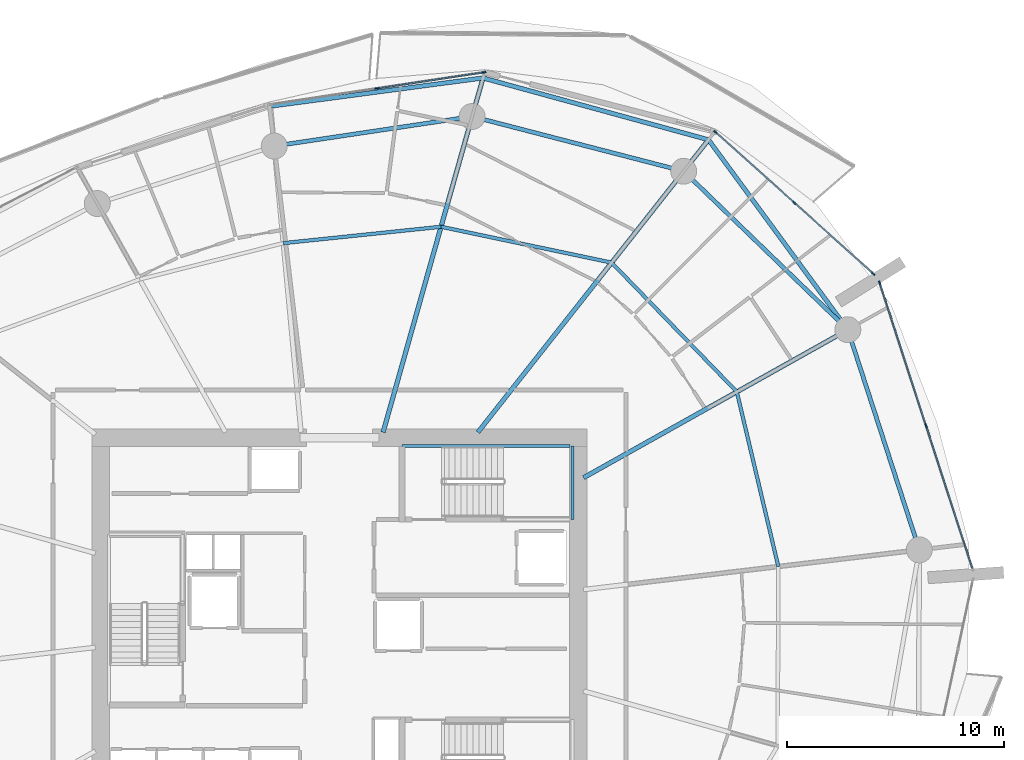
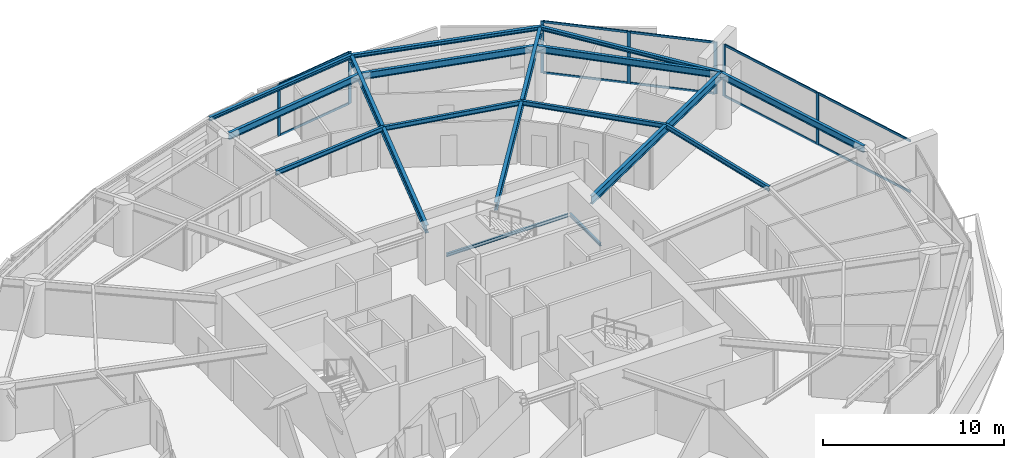
# One storey, part 9 of 23: 17 members, 16 beams, 3 elements without a shape of their own.
"""IFC4 building model written with IfcOpenShell, lengths in metres."""

from ifc_helpers import new_model, si_unit, direction, frame, origin, origin_2d, place, context, subcontext, project, spatial, rectangle, i_section, extrude, material, layer, layer_set, material_profile, profile_set, type_object, element, aggregate, save


model = new_model("IFC4")

# Units and contexts
model_context = context("Model", 3, precision=1e-05, world=origin(), true_north=direction((0.0, 1.0)))
body_context = subcontext(model_context, "Body", "Model", "MODEL_VIEW")
ifc_project = project(units=[si_unit("LENGTHUNIT", "METRE"), si_unit("AREAUNIT", "SQUARE_METRE"), si_unit("VOLUMEUNIT", "CUBIC_METRE"), si_unit("PLANEANGLEUNIT", "RADIAN"), si_unit("MASSUNIT", "GRAM", prefix="KILO")], contexts=[model_context])

# Site, building, storey
site_placement = place(None, origin())
site = spatial("IfcSite", under=ifc_project, at=site_placement, CompositionType="ELEMENT")
building_placement = place(site_placement, origin())
building = spatial("IfcBuilding", under=site, at=building_placement, Name="Kazma Halo Residences", CompositionType="ELEMENT")
storey_placement = place(building_placement, frame((0.0, 0.0, 101.39990234375)))
storey = spatial("IfcBuildingStorey", under=building, at=storey_placement, Name="L25", CompositionType="ELEMENT", Elevation=101.39990234375)

# Beams
ifc_material_1 = material(Name="Steel S355", Category="steel")
ifc_material_profile_1 = material_profile(ifc_material_1, i_section(OverallWidth=0.201904296875, OverallDepth=0.2470703125, WebThickness=0.00732421875, FlangeThickness=0.010986328125, FilletRadius=0.011962890625, at=origin_2d()), Name="W250x49.1")
ifc_profile_set_1 = profile_set([ifc_material_profile_1], Name="Steel S355")
beam_type_1 = type_object("IfcBeamType", Name="BM-BAL-CANT", PredefinedType="BEAM", material=ifc_profile_set_1)
beam_1_placement = place(storey_placement, frame((71.9033203125, 55.386474609375, 3.376708984375), z_axis=(-0.59144927253, 0.806342209005, 0.0), x_axis=(-0.806342209005, -0.59144927253, 0.0)))
element("IfcBeam", 1, at=beam_1_placement, inside=storey, type_object=beam_type_1, Name="L25 wave-balcony lead tie beam 01", PredefinedType="BEAM", context=body_context, shape_type="SweptSolid", body=[
    extrude(i_section(OverallWidth=0.201904296875, OverallDepth=0.2470703125, WebThickness=0.00732421875, FlangeThickness=0.010986328125, FilletRadius=0.011962890625, at=origin_2d()), origin(), (0.0, 0.0, 1.0), 10.87939453125),
])
beam_2_placement = place(storey_placement, frame((65.46875, 64.158935546875, 3.376708984375), z_axis=(-0.964396617, 0.264460139, 0.0), x_axis=(-0.264460139, -0.964396617, 0.0)))
element("IfcBeam", 2, at=beam_2_placement, inside=storey, type_object=beam_type_1, Name="L25 wave-balcony tie beam 02", PredefinedType="BEAM", context=body_context, shape_type="SweptSolid", body=[
    extrude(i_section(OverallWidth=0.201904296875, OverallDepth=0.2470703125, WebThickness=0.00732421875, FlangeThickness=0.010986328125, FilletRadius=0.011962890625, at=origin_2d()), origin(), (0.0, 0.0, 1.0), 10.79833984375),
])
beam_3_placement = place(storey_placement, frame((55.054931640625, 67.0146484375, 3.376708984375), z_axis=(-0.991294955884, -0.131659828494, 0.0), x_axis=(0.131659828494, -0.991294955884, 0.0)))
element("IfcBeam", 3, at=beam_3_placement, inside=storey, type_object=beam_type_1, Name="L25 wave-balcony tie beam 03", PredefinedType="BEAM", context=body_context, shape_type="SweptSolid", body=[
    extrude(i_section(OverallWidth=0.201904296875, OverallDepth=0.2470703125, WebThickness=0.00732421875, FlangeThickness=0.010986328125, FilletRadius=0.011962890625, at=origin_2d()), origin(), (0.0, 0.0, 1.0), 9.902099609375),
])
ifc_material_profile_2 = material_profile(ifc_material_1, i_section(OverallWidth=0.208984375, OverallDepth=0.532958984375, WebThickness=0.01025390625, FlangeThickness=0.015625, FilletRadius=0.01611328125, at=origin_2d()), Name="W530x92")
ifc_profile_set_2 = profile_set([ifc_material_profile_2], Name="Steel S355")
beam_type_2 = type_object("IfcBeamType", Name="BM-RAD-W530", PredefinedType="BEAM", material=ifc_profile_set_2)
beam_4_placement = place(storey_placement, frame((59.699951171875, 48.55224609375, 3.233642578125), z_axis=(0.87249559794, 0.488621972055, 0.0), x_axis=(-0.488621972055, 0.87249559794, 0.0)))
element("IfcBeam", 4, at=beam_4_placement, inside=storey, type_object=beam_type_2, Name="L25 radial floor beam 01", PredefinedType="BEAM", context=body_context, shape_type="SweptSolid", body=[
    extrude(i_section(OverallWidth=0.208984375, OverallDepth=0.532958984375, WebThickness=0.01025390625, FlangeThickness=0.015625, FilletRadius=0.01611328125, at=origin_2d()), origin(), (0.0, 0.0, 1.0), 13.98681640625),
])
beam_5_placement = place(storey_placement, frame((54.819091796875, 50.64990234375, 3.233642578125), z_axis=(0.619093774822, 0.785317068436, 0.0), x_axis=(-0.785317068436, 0.619093774822, 0.0)))
element("IfcBeam", 5, at=beam_5_placement, inside=storey, type_object=beam_type_2, Name="L25 radial floor beam 02", PredefinedType="BEAM", context=body_context, shape_type="SweptSolid", body=[
    extrude(i_section(OverallWidth=0.208984375, OverallDepth=0.532958984375, WebThickness=0.01025390625, FlangeThickness=0.015625, FilletRadius=0.01611328125, at=origin_2d()), origin(), (0.0, 0.0, 1.0), 17.201904296875),
])
beam_6_placement = place(storey_placement, frame((50.439697265625, 50.64990234375, 3.233642578125), z_axis=(0.271434928076, 0.962456793742, 0.0), x_axis=(-0.962456793742, 0.271434928076, 0.0)))
element("IfcBeam", 6, at=beam_6_placement, inside=storey, type_object=beam_type_2, Name="L25 radial floor beam 03", PredefinedType="BEAM", context=body_context, shape_type="SweptSolid", body=[
    extrude(i_section(OverallWidth=0.208984375, OverallDepth=0.532958984375, WebThickness=0.01025390625, FlangeThickness=0.015625, FilletRadius=0.01611328125, at=origin_2d()), origin(), (0.0, 0.0, 1.0), 17.003173828125),
])
ifc_material_profile_3 = material_profile(ifc_material_1, i_section(OverallWidth=0.1650390625, OverallDepth=0.31005859375, WebThickness=0.005859375, FlangeThickness=0.009765625, FilletRadius=0.011962890625, at=origin_2d()), Name="W310x38.7")
ifc_profile_set_3 = profile_set([ifc_material_profile_3], Name="Steel S355")
beam_type_3 = type_object("IfcBeamType", Name="BM-SEC-W310B", PredefinedType="JOIST", material=ifc_profile_set_3)
beam_7_placement = place(storey_placement, frame((66.77783203125, 52.51611328125, 3.34521484375), z_axis=(-0.695765378161, 0.718269126827, 0.0), x_axis=(-0.718269126827, -0.695765378161, 0.0)))
element("IfcBeam", 7, at=beam_7_placement, inside=storey, type_object=beam_type_3, Name="L25 circumferential floor joist 01", PredefinedType="JOIST", context=body_context, shape_type="SweptSolid", body=[
    extrude(i_section(OverallWidth=0.1650390625, OverallDepth=0.31005859375, WebThickness=0.005859375, FlangeThickness=0.009765625, FilletRadius=0.011962890625, at=origin_2d()), origin(), (0.0, 0.0, 1.0), 8.310302734375),
])
beam_8_placement = place(storey_placement, frame((60.995849609375, 58.485107421875, 3.34521484375), z_axis=(-0.978607976751, 0.205733876255, 0.0), x_axis=(-0.205733876255, -0.978607976751, 0.0)))
element("IfcBeam", 8, at=beam_8_placement, inside=storey, type_object=beam_type_3, Name="L25 circumferential floor joist 02", PredefinedType="JOIST", context=body_context, shape_type="SweptSolid", body=[
    extrude(i_section(OverallWidth=0.1650390625, OverallDepth=0.31005859375, WebThickness=0.005859375, FlangeThickness=0.009765625, FilletRadius=0.011962890625, at=origin_2d()), origin(), (0.0, 0.0, 1.0), 8.051513671875),
])
beam_9_placement = place(storey_placement, frame((53.116455078125, 60.1416015625, 3.34521484375), z_axis=(-0.994656912508, -0.103235780624, 0.0), x_axis=(0.103235780624, -0.994656912508, 0.0)))
element("IfcBeam", 9, at=beam_9_placement, inside=storey, type_object=beam_type_3, Name="L25 circumferential floor joist 03", PredefinedType="JOIST", context=body_context, shape_type="SweptSolid", body=[
    extrude(i_section(OverallWidth=0.1650390625, OverallDepth=0.31005859375, WebThickness=0.005859375, FlangeThickness=0.009765625, FilletRadius=0.011962890625, at=origin_2d()), origin(), (0.0, 0.0, 1.0), 7.323974609375),
])
beam_10_placement = place(storey_placement, frame((68.69384765625, 44.44921875, 3.34521484375), z_axis=(-0.231087064161, 0.972933075179, 0.0), x_axis=(-0.972933075179, -0.231087064161, 0.0)))
element("IfcBeam", 10, at=beam_10_placement, inside=storey, type_object=beam_type_3, Name="L25 circumferential floor joist 16", PredefinedType="JOIST", context=body_context, shape_type="SweptSolid", body=[
    extrude(i_section(OverallWidth=0.1650390625, OverallDepth=0.31005859375, WebThickness=0.005859375, FlangeThickness=0.009765625, FilletRadius=0.011962890625, at=origin_2d()), origin(), (0.0, 0.0, 1.0), 8.291259765625),
])
ifc_material_profile_4 = material_profile(ifc_material_1, i_section(OverallWidth=0.18994140625, OverallDepth=0.45703125, WebThickness=0.009033203125, FlangeThickness=0.014404296875, FilletRadius=0.01611328125, at=origin_2d()), Name="W460x74")
ifc_profile_set_4 = profile_set([ifc_material_profile_4], Name="Steel S355")
beam_type_4 = type_object("IfcBeamType", Name="BM-SPN-W460", PredefinedType="BEAM", material=ifc_profile_set_4)
beam_11_placement = place(storey_placement, frame((71.9033203125, 55.386474609375, 3.271484375), z_axis=(-0.719336783114, 0.694661494873, 0.0), x_axis=(-0.694661494873, -0.719336783114, 0.0)))
element("IfcBeam", 11, at=beam_11_placement, inside=storey, type_object=beam_type_4, Name="L25 perimeter ring beam 01", PredefinedType="BEAM", context=body_context, shape_type="SweptSolid", body=[
    extrude(i_section(OverallWidth=0.18994140625, OverallDepth=0.45703125, WebThickness=0.009033203125, FlangeThickness=0.014404296875, FilletRadius=0.01611328125, at=origin_2d()), origin(), (0.0, 0.0, 1.0), 10.537353515625),
])
beam_12_placement = place(storey_placement, frame((64.323486328125, 62.706298828125, 3.271484375), z_axis=(-0.968124968683, 0.250467652626, 0.0), x_axis=(-0.250467652626, -0.968124968683, 0.0)))
element("IfcBeam", 12, at=beam_12_placement, inside=storey, type_object=beam_type_4, Name="L25 perimeter ring beam 02", PredefinedType="BEAM", context=body_context, shape_type="SweptSolid", body=[
    extrude(i_section(OverallWidth=0.18994140625, OverallDepth=0.45703125, WebThickness=0.009033203125, FlangeThickness=0.014404296875, FilletRadius=0.01611328125, at=origin_2d()), origin(), (0.0, 0.0, 1.0), 10.092529296875),
])
beam_13_placement = place(storey_placement, frame((54.552734375, 65.234130859375, 3.271484375), z_axis=(-0.989034176303, -0.147686824414, 0.0), x_axis=(0.147686824414, -0.989034176303, 0.0)))
element("IfcBeam", 13, at=beam_13_placement, inside=storey, type_object=beam_type_4, Name="L25 perimeter ring beam 03", PredefinedType="BEAM", context=body_context, shape_type="SweptSolid", body=[
    extrude(i_section(OverallWidth=0.18994140625, OverallDepth=0.45703125, WebThickness=0.009033203125, FlangeThickness=0.014404296875, FilletRadius=0.01611328125, at=origin_2d()), origin(), (0.0, 0.0, 1.0), 9.242431640625),
])
beam_14_placement = place(storey_placement, frame((75.20654296875, 45.22021484375, 3.271484375), z_axis=(-0.309017385422, 0.951056389236, 0.0), x_axis=(-0.951056389236, -0.309017385422, 0.0)))
element("IfcBeam", 14, at=beam_14_placement, inside=storey, type_object=beam_type_4, Name="L25 perimeter ring beam 16", PredefinedType="BEAM", context=body_context, shape_type="SweptSolid", body=[
    extrude(i_section(OverallWidth=0.18994140625, OverallDepth=0.45703125, WebThickness=0.009033203125, FlangeThickness=0.014404296875, FilletRadius=0.01611328125, at=origin_2d()), origin(), (0.0, 0.0, 1.0), 10.689453125),
])
ifc_material_profile_5 = material_profile(ifc_material_1, i_section(OverallWidth=0.133056640625, OverallDepth=0.20703125, WebThickness=0.005859375, FlangeThickness=0.00830078125, FilletRadius=0.010009765625, at=origin_2d()), Name="W200x26.6")
ifc_profile_set_5 = profile_set([ifc_material_profile_5], Name="Steel S355")
beam_type_5 = type_object("IfcBeamType", Name="BM-TRIM-W200", PredefinedType="BEAM", material=ifc_profile_set_5)
beam_15_placement = place(storey_placement, frame((51.31005859375, 50.02001953125, 1.570068359375), z_axis=(1.0, 0.0, 0.0), x_axis=(0.0, 1.0, 0.0)))
element("IfcBeam", 15, at=beam_15_placement, inside=storey, type_object=beam_type_5, Name="L25 ST-02 landing north wall ledger", PredefinedType="BEAM", context=body_context, shape_type="SweptSolid", body=[
    extrude(i_section(OverallWidth=0.133056640625, OverallDepth=0.20703125, WebThickness=0.005859375, FlangeThickness=0.00830078125, FilletRadius=0.010009765625, at=origin_2d()), origin(), (0.0, 0.0, 1.0), 7.760009765625),
])
beam_16_placement = place(storey_placement, frame((59.18994140625, 46.6201171875, 1.570068359375), z_axis=(0.0, 1.0, 0.0), x_axis=(-1.0, 0.0, 0.0)))
element("IfcBeam", 16, at=beam_16_placement, inside=storey, type_object=beam_type_5, Name="L25 ST-02 landing end wall ledger", PredefinedType="BEAM", context=body_context, shape_type="SweptSolid", body=[
    extrude(i_section(OverallWidth=0.133056640625, OverallDepth=0.20703125, WebThickness=0.005859375, FlangeThickness=0.00830078125, FilletRadius=0.010009765625, at=origin_2d()), origin(), (0.0, 0.0, 1.0), 3.39990234375),
])

# Curtain wall, members
ifc_material_2 = material(Name="Aluminium AW-6063 T6 and Triple-Silver Low-E Glass", Category="aluminium")
ifc_layer = layer(ifc_material_2, 0.199951171875)
ifc_layer_set = layer_set([ifc_layer], Name="Aluminium AW-6063 T6 and Triple-Silver Low-E Glass")
curtain_wall_type = type_object("IfcCurtainWallType", Name="CW-SYS-3", PredefinedType="NOTDEFINED", material=ifc_layer_set)
curtain_wall_1_placement = place(storey_placement, origin())
curtain_wall_1 = element("IfcCurtainWall", 17, at=curtain_wall_1_placement, inside=storey, type_object=curtain_wall_type, Name="L25 unitised curtain wall B01", PredefinedType="NOTDEFINED")
ifc_material_3 = material(Name="Aluminium AW-6063 T6", Category="aluminium")
ifc_material_profile_6 = material_profile(ifc_material_3, rectangle(XDim=0.070068359375, YDim=0.199951171875, at=origin_2d()), Name="CWM-70x200")
ifc_profile_set_6 = profile_set([ifc_material_profile_6], Name="Aluminium AW-6063 T6")
member_type_1 = type_object("IfcMemberType", Name="CW-SYS-3-MUL", PredefinedType="MULLION", material=ifc_profile_set_6)
member_1_placement = place(storey_placement, frame((73.071044921875, 57.981201171875, 0.0), z_axis=(0.0, 0.0, 1.0), x_axis=(-0.667794957375, -0.744345279359, 0.0)))
member_1 = element("IfcMember", 18, at=member_1_placement, type_object=member_type_1, Name="CWS-3 mullion 1", PredefinedType="MULLION", context=body_context, shape_type="SweptSolid", body=[
    extrude(rectangle(XDim=0.070068359375, YDim=0.199951171875, at=origin_2d()), origin(), (0.0, 0.0, 1.0), 3.5),
])
member_2_placement = place(storey_placement, frame((69.431396484375, 61.24658203125, 0.0), z_axis=(0.0, 0.0, 1.0), x_axis=(-0.667794957375, -0.744345279359, 0.0)))
member_2 = element("IfcMember", 19, at=member_2_placement, type_object=member_type_1, Name="CWS-3 mullion 2", PredefinedType="MULLION", context=body_context, shape_type="SweptSolid", body=[
    extrude(rectangle(XDim=0.070068359375, YDim=0.199951171875, at=origin_2d()), origin(), (0.0, 0.0, 1.0), 3.5),
])
member_3_placement = place(storey_placement, frame((65.791748046875, 64.51220703125, 0.0), z_axis=(0.0, 0.0, 1.0), x_axis=(-0.667794957375, -0.744345279359, 0.0)))
member_3 = element("IfcMember", 20, at=member_3_placement, type_object=member_type_1, Name="CWS-3 mullion 3", PredefinedType="MULLION", context=body_context, shape_type="SweptSolid", body=[
    extrude(rectangle(XDim=0.070068359375, YDim=0.199951171875, at=origin_2d()), origin(), (0.0, 0.0, 1.0), 3.5),
])

curtain_wall_2_placement = place(storey_placement, origin())
curtain_wall_2 = element("IfcCurtainWall", 21, at=curtain_wall_2_placement, inside=storey, type_object=curtain_wall_type, Name="L25 unitised curtain wall B03", PredefinedType="NOTDEFINED")
member_4_placement = place(storey_placement, frame((55.09423828125, 67.271728515625, 0.0), z_axis=(0.0, 0.0, 1.0), x_axis=(0.148717330409, -0.988879747814, 0.0)))
member_4 = element("IfcMember", 22, at=member_4_placement, type_object=member_type_1, Name="CWS-3 mullion 1", PredefinedType="MULLION", context=body_context, shape_type="SweptSolid", body=[
    extrude(rectangle(XDim=0.070068359375, YDim=0.199951171875, at=origin_2d()), origin(), (0.0, 0.0, 1.0), 3.5),
])
member_5_placement = place(storey_placement, frame((50.156982421875, 66.529296875, 0.0), z_axis=(0.0, 0.0, 1.0), x_axis=(0.148717330409, -0.988879747814, 0.0)))
member_5 = element("IfcMember", 23, at=member_5_placement, type_object=member_type_1, Name="CWS-3 mullion 2", PredefinedType="MULLION", context=body_context, shape_type="SweptSolid", body=[
    extrude(rectangle(XDim=0.070068359375, YDim=0.199951171875, at=origin_2d()), origin(), (0.0, 0.0, 1.0), 3.5),
])

curtain_wall_3_placement = place(storey_placement, origin())
curtain_wall_3 = element("IfcCurtainWall", 24, at=curtain_wall_3_placement, inside=storey, type_object=curtain_wall_type, Name="L25 unitised curtain wall B16", PredefinedType="NOTDEFINED")
member_6_placement = place(storey_placement, frame((75.52099609375, 50.942138671875, 0.0), z_axis=(0.0, 0.0, 1.0), x_axis=(-0.951057722508, -0.309013282008, 0.0)))
member_6 = element("IfcMember", 25, at=member_6_placement, type_object=member_type_1, Name="CWS-3 mullion 2", PredefinedType="MULLION", context=body_context, shape_type="SweptSolid", body=[
    extrude(rectangle(XDim=0.070068359375, YDim=0.199951171875, at=origin_2d()), origin(), (0.0, 0.0, 1.0), 3.5),
])
member_7_placement = place(storey_placement, frame((73.376708984375, 57.54150390625, 0.0), z_axis=(0.0, 0.0, 1.0), x_axis=(-0.951057722508, -0.309013282008, 0.0)))
member_7 = element("IfcMember", 26, at=member_7_placement, type_object=member_type_1, Name="CWS-3 mullion 3", PredefinedType="MULLION", context=body_context, shape_type="SweptSolid", body=[
    extrude(rectangle(XDim=0.070068359375, YDim=0.199951171875, at=origin_2d()), origin(), (0.0, 0.0, 1.0), 3.5),
])

# Member
ifc_material_profile_7 = material_profile(ifc_material_3, rectangle(XDim=0.070068359375, YDim=0.14990234375, at=origin_2d()), Name="CWT-70x150")
ifc_profile_set_7 = profile_set([ifc_material_profile_7], Name="Aluminium AW-6063 T6")
member_type_2 = type_object("IfcMemberType", Name="CW-SYS-3-TRN", PredefinedType="USERDEFINED", material=ifc_profile_set_7)
member_8_placement = place(storey_placement, frame((73.045166015625, 58.004638671875, 0.03515625), z_axis=(-0.744338471453, 0.667802545603, 0.0), x_axis=(-0.667802545603, -0.744338471453, 0.0)))
member_8 = element("IfcMember", 27, at=member_8_placement, type_object=member_type_2, Name="CWS-3 transom 1.1", ObjectType="TRANSOM", PredefinedType="USERDEFINED", context=body_context, shape_type="SweptSolid", body=[
    extrude(rectangle(XDim=0.070068359375, YDim=0.14990234375, at=origin_2d()), origin(), (0.0, 0.0, 1.0), 4.81982421875),
])

member_9_placement = place(storey_placement, frame((73.045166015625, 58.004638671875, 3.465087890625), z_axis=(-0.744338471453, 0.667802545603, 0.0), x_axis=(-0.667802545603, -0.744338471453, 0.0)))
member_9 = element("IfcMember", 28, at=member_9_placement, type_object=member_type_2, Name="CWS-3 transom 1.2", ObjectType="TRANSOM", PredefinedType="USERDEFINED", context=body_context, shape_type="SweptSolid", body=[
    extrude(rectangle(XDim=0.070068359375, YDim=0.14990234375, at=origin_2d()), origin(), (0.0, 0.0, 1.0), 4.81982421875),
])

member_10_placement = place(storey_placement, frame((69.4052734375, 61.27001953125, 0.03515625), z_axis=(-0.744338471453, 0.667802545603, 0.0), x_axis=(-0.667802545603, -0.744338471453, 0.0)))
member_10 = element("IfcMember", 29, at=member_10_placement, type_object=member_type_2, Name="CWS-3 transom 2.1", ObjectType="TRANSOM", PredefinedType="USERDEFINED", context=body_context, shape_type="SweptSolid", body=[
    extrude(rectangle(XDim=0.070068359375, YDim=0.14990234375, at=origin_2d()), origin(), (0.0, 0.0, 1.0), 4.81982421875),
])

member_11_placement = place(storey_placement, frame((69.4052734375, 61.27001953125, 3.465087890625), z_axis=(-0.744338471453, 0.667802545603, 0.0), x_axis=(-0.667802545603, -0.744338471453, 0.0)))
member_11 = element("IfcMember", 30, at=member_11_placement, type_object=member_type_2, Name="CWS-3 transom 2.2", ObjectType="TRANSOM", PredefinedType="USERDEFINED", context=body_context, shape_type="SweptSolid", body=[
    extrude(rectangle(XDim=0.070068359375, YDim=0.14990234375, at=origin_2d()), origin(), (0.0, 0.0, 1.0), 4.81982421875),
])

aggregate(curtain_wall_1, [member_1, member_2, member_3, member_8, member_9, member_10, member_11])

member_12_placement = place(storey_placement, frame((55.0595703125, 67.2666015625, 0.03515625), z_axis=(-0.988876977991, -0.148735746878, 0.0), x_axis=(0.148735746878, -0.988876977991, 0.0)))
member_12 = element("IfcMember", 31, at=member_12_placement, type_object=member_type_2, Name="CWS-3 transom 1.1", ObjectType="TRANSOM", PredefinedType="USERDEFINED", context=body_context, shape_type="SweptSolid", body=[
    extrude(rectangle(XDim=0.070068359375, YDim=0.14990234375, at=origin_2d()), origin(), (0.0, 0.0, 1.0), 4.922607421875),
])

member_13_placement = place(storey_placement, frame((55.0595703125, 67.2666015625, 3.465087890625), z_axis=(-0.988876977991, -0.148735746878, 0.0), x_axis=(0.148735746878, -0.988876977991, 0.0)))
member_13 = element("IfcMember", 32, at=member_13_placement, type_object=member_type_2, Name="CWS-3 transom 1.2", ObjectType="TRANSOM", PredefinedType="USERDEFINED", context=body_context, shape_type="SweptSolid", body=[
    extrude(rectangle(XDim=0.070068359375, YDim=0.14990234375, at=origin_2d()), origin(), (0.0, 0.0, 1.0), 4.922607421875),
])

aggregate(curtain_wall_2, [member_4, member_5, member_12, member_13])

member_14_placement = place(storey_placement, frame((77.654541015625, 44.3759765625, 0.03515625), z_axis=(-0.309000079699, 0.95106201204, 0.0), x_axis=(-0.95106201204, -0.309000079699, 0.0)))
member_14 = element("IfcMember", 33, at=member_14_placement, type_object=member_type_2, Name="CWS-3 transom 1.1", ObjectType="TRANSOM", PredefinedType="USERDEFINED", context=body_context, shape_type="SweptSolid", body=[
    extrude(rectangle(XDim=0.070068359375, YDim=0.14990234375, at=origin_2d()), origin(), (0.0, 0.0, 1.0), 6.869140625),
])

member_15_placement = place(storey_placement, frame((77.654541015625, 44.3759765625, 3.465087890625), z_axis=(-0.309000079699, 0.95106201204, 0.0), x_axis=(-0.95106201204, -0.309000079699, 0.0)))
member_15 = element("IfcMember", 34, at=member_15_placement, type_object=member_type_2, Name="CWS-3 transom 1.2", ObjectType="TRANSOM", PredefinedType="USERDEFINED", context=body_context, shape_type="SweptSolid", body=[
    extrude(rectangle(XDim=0.070068359375, YDim=0.14990234375, at=origin_2d()), origin(), (0.0, 0.0, 1.0), 6.869140625),
])

member_16_placement = place(storey_placement, frame((75.51025390625, 50.975341796875, 0.03515625), z_axis=(-0.309000079699, 0.95106201204, 0.0), x_axis=(-0.95106201204, -0.309000079699, 0.0)))
member_16 = element("IfcMember", 35, at=member_16_placement, type_object=member_type_2, Name="CWS-3 transom 2.1", ObjectType="TRANSOM", PredefinedType="USERDEFINED", context=body_context, shape_type="SweptSolid", body=[
    extrude(rectangle(XDim=0.070068359375, YDim=0.14990234375, at=origin_2d()), origin(), (0.0, 0.0, 1.0), 6.869140625),
])

member_17_placement = place(storey_placement, frame((75.51025390625, 50.975341796875, 3.465087890625), z_axis=(-0.309000079699, 0.95106201204, 0.0), x_axis=(-0.95106201204, -0.309000079699, 0.0)))
member_17 = element("IfcMember", 36, at=member_17_placement, type_object=member_type_2, Name="CWS-3 transom 2.2", ObjectType="TRANSOM", PredefinedType="USERDEFINED", context=body_context, shape_type="SweptSolid", body=[
    extrude(rectangle(XDim=0.070068359375, YDim=0.14990234375, at=origin_2d()), origin(), (0.0, 0.0, 1.0), 6.869140625),
])

aggregate(curtain_wall_3, [member_6, member_7, member_14, member_15, member_16, member_17])

save(model, "model.ifc")
